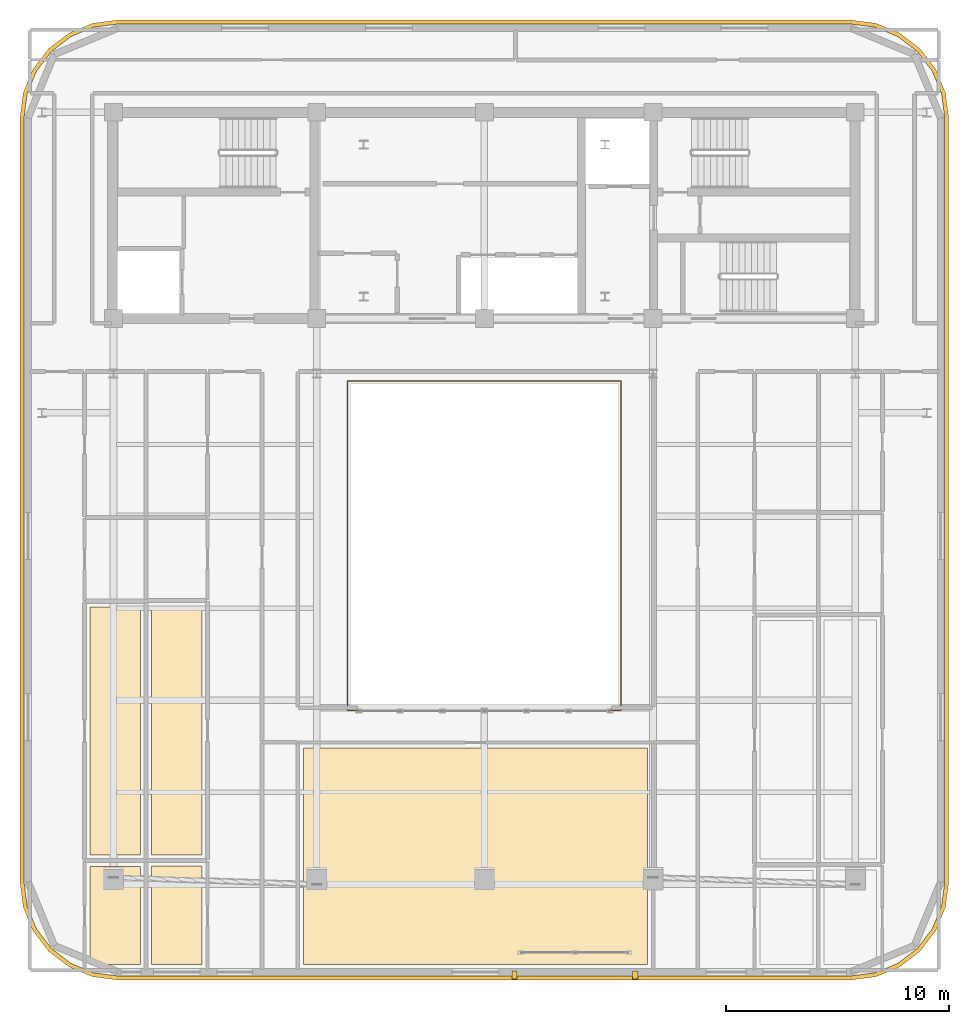
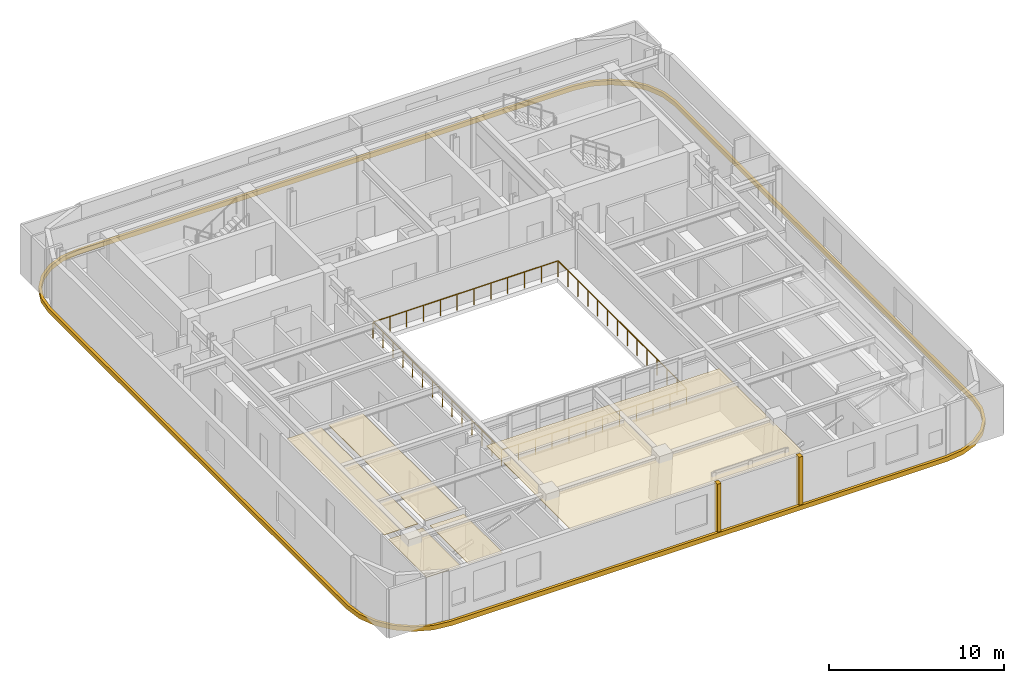
# One storey, part 12 of 14: 8 coverings, 1 railing.
"""IFC4 building model written with IfcOpenShell, lengths in metres."""

from ifc_helpers import new_model, si_unit, direction, frame, origin, origin_2d, place, context, subcontext, project, spatial, polyline, rectangle, outline, extrude, material, layer, layer_set, type_object, element, save


model = new_model("IFC4")

# Units and contexts
model_context = context("Model", 3, precision=1e-05, world=origin(), true_north=direction((0.0, 1.0)))
body_context = subcontext(model_context, "Body", "Model", "MODEL_VIEW")
ifc_project = project(units=[si_unit("LENGTHUNIT", "METRE"), si_unit("AREAUNIT", "SQUARE_METRE"), si_unit("VOLUMEUNIT", "CUBIC_METRE"), si_unit("PLANEANGLEUNIT", "RADIAN"), si_unit("MASSUNIT", "GRAM", prefix="KILO")], contexts=[model_context])

# Site, building, storey
site_placement = place(None, origin())
site = spatial("IfcSite", under=ifc_project, at=site_placement, CompositionType="ELEMENT")
building_placement = place(site_placement, origin())
building = spatial("IfcBuilding", under=site, at=building_placement, Name="Zarnavel Station Tower", CompositionType="ELEMENT")
storey_placement = place(building_placement, frame((0.0, 0.0, 258.39990234375)))
storey = spatial("IfcBuildingStorey", under=building, at=storey_placement, Name="L70", CompositionType="ELEMENT", Elevation=258.39990234375)

# Coverings
ifc_material_1 = material(Name="Perforated Gypsum and Mineral-Wool Acoustic Ceiling", Category="concrete")
ifc_layer = layer(ifc_material_1, 0.0400390625)
ifc_layer_set = layer_set([ifc_layer], Name="COV_CEIL_ACOUSTIC")
covering_type_1 = type_object("IfcCoveringType", Name="COV_CEIL_ACOUSTIC", PredefinedType="CEILING", material=ifc_layer_set)
covering_1_placement = place(storey_placement, frame((0.0, 0.0, 3.10009765625)))
element("IfcCovering", 1, at=covering_1_placement, inside=storey, type_object=covering_type_1, Name="L70 UW1B1 Acoustic Ceiling", PredefinedType="CEILING", context=body_context, shape_type="SweptSolid", body=[
    extrude(outline(polyline([(11.154052734375, -1.090087890625), (13.409912109375, -1.090087890625), (13.409912109375, 3.30810546875), (11.154052734375, 3.30810546875), (11.154052734375, -1.090087890625)])), origin(), (0.0, 0.0, 1.0), 0.0400390625),
])
covering_2_placement = place(storey_placement, frame((0.0, 0.0, 3.10009765625)))
element("IfcCovering", 2, at=covering_2_placement, inside=storey, type_object=covering_type_1, Name="L70 UW1KT Acoustic Ceiling", PredefinedType="CEILING", context=body_context, shape_type="SweptSolid", body=[
    extrude(outline(polyline([(11.154052734375, 3.80810546875), (13.409912109375, 3.80810546875), (13.409912109375, 14.9189453125), (11.154052734375, 14.9189453125), (11.154052734375, 3.80810546875)])), origin(), (0.0, 0.0, 1.0), 0.0400390625),
])
covering_3_placement = place(storey_placement, frame((0.0, 0.0, 3.10009765625)))
element("IfcCovering", 3, at=covering_3_placement, inside=storey, type_object=covering_type_1, Name="L70 UW2B1 Acoustic Ceiling", PredefinedType="CEILING", context=body_context, shape_type="SweptSolid", body=[
    extrude(outline(polyline([(13.909912109375, -1.090087890625), (16.160888671875, -1.090087890625), (16.160888671875, 3.31689453125), (13.909912109375, 3.31689453125), (13.909912109375, -1.090087890625)])), origin(), (0.0, 0.0, 1.0), 0.0400390625),
])
covering_4_placement = place(storey_placement, frame((0.0, 0.0, 3.10009765625)))
element("IfcCovering", 4, at=covering_4_placement, inside=storey, type_object=covering_type_1, Name="L70 UW2KT Acoustic Ceiling", PredefinedType="CEILING", context=body_context, shape_type="SweptSolid", body=[
    extrude(outline(polyline([(13.909912109375, 3.81689453125), (16.160888671875, 3.81689453125), (16.160888671875, 14.948974609375), (13.909912109375, 14.948974609375), (13.909912109375, 3.81689453125)])), origin(), (0.0, 0.0, 1.0), 0.0400390625),
])
covering_5_placement = place(storey_placement, frame((0.0, 0.0, 3.10009765625)))
element("IfcCovering", 5, at=covering_5_placement, inside=storey, type_object=covering_type_1, Name="L70 L69OBS Acoustic Ceiling", PredefinedType="CEILING", context=body_context, shape_type="SweptSolid", body=[
    extrude(outline(polyline([(20.699951171875, -1.090087890625), (36.10009765625, -1.090087890625), (36.10009765625, 8.60009765625), (20.699951171875, 8.60009765625), (20.699951171875, -1.090087890625)])), origin(), (0.0, 0.0, 1.0), 0.0400390625),
])
ifc_material_2 = material(Name="Precast concrete C45/55 (Pale Travertine Slab Band)", Category="masonry")
covering_type_2 = type_object("IfcCoveringType", Name="COV_TRAVERTINE_BAND", PredefinedType="CLADDING", material=ifc_material_2)
covering_6_placement = place(storey_placement, frame((0.0, 0.0, -0.260009765625)))
element("IfcCovering", 6, at=covering_6_placement, inside=storey, type_object=covering_type_2, Name="L70 Pale Travertine Slab-Edge Band", PredefinedType="CLADDING", context=body_context, shape_type="SweptSolid", body=[
    extrude(outline(polyline([(45.199951171875, -1.780029296875), (46.33349609375, -1.630859375), (47.389892578125, -1.193115234375), (48.297119140625, -0.4970703125), (48.9931640625, 0.409912109375), (49.430908203125, 1.46630859375), (49.580078125, 2.60009765625), (49.580078125, 36.800048828125), (49.430908203125, 37.93359375), (48.9931640625, 38.989990234375), (48.297119140625, 39.897216796875), (47.389892578125, 40.59326171875), (46.33349609375, 41.03076171875), (45.199951171875, 41.179931640625), (12.39990234375, 41.179931640625), (11.266357421875, 41.03076171875), (10.2099609375, 40.59326171875), (9.302978515625, 39.897216796875), (8.606689453125, 38.989990234375), (8.169189453125, 37.93359375), (8.02001953125, 36.800048828125), (8.02001953125, 2.60009765625), (8.169189453125, 1.46630859375), (8.606689453125, 0.409912109375), (9.302978515625, -0.4970703125), (10.2099609375, -1.193115234375), (11.266357421875, -1.630859375), (12.39990234375, -1.780029296875), (45.199951171875, -1.780029296875)]), holes=[polyline([(45.199951171875, -1.60009765625), (46.287109375, -1.456787109375), (47.300048828125, -1.037353515625), (48.169921875, -0.369873046875), (48.83740234375, 0.5), (49.2568359375, 1.512939453125), (49.39990234375, 2.60009765625), (49.39990234375, 36.800048828125), (49.2568359375, 37.886962890625), (48.83740234375, 38.89990234375), (48.169921875, 39.769775390625), (47.300048828125, 40.437255859375), (46.287109375, 40.85693359375), (45.199951171875, 41.0), (12.39990234375, 41.0), (11.31298828125, 40.85693359375), (10.300048828125, 40.437255859375), (9.43017578125, 39.769775390625), (8.7626953125, 38.89990234375), (8.343017578125, 37.886962890625), (8.199951171875, 36.800048828125), (8.199951171875, 2.60009765625), (8.343017578125, 1.512939453125), (8.7626953125, 0.5), (9.43017578125, -0.369873046875), (10.300048828125, -1.037353515625), (11.31298828125, -1.456787109375), (12.39990234375, -1.60009765625), (45.199951171875, -1.60009765625)])]), origin(), (0.0, 0.0, 1.0), 0.320068359375),
])
for number, where, z_axis, x_axis, name in (
    (7, (30.14990234375, -1.550048828125, 0.000244140625), (0.0, 0.0, 1.0), (1.0, 0.0, 0.0), "L70 Travertine Portal Loggia Vertical Jog West"),
    (8, (35.550048828125, -1.550048828125, 0.000244140625), (0.0, 0.0, 1.0), (1.0, 0.0, 0.0), "L70 Travertine Portal Loggia Vertical Jog East"),
):
    element("IfcCovering", number, at=place(storey_placement, frame(where, z_axis=z_axis, x_axis=x_axis)), inside=storey, type_object=covering_type_2, Name=name, PredefinedType="CLADDING", context=body_context, shape_type="SweptSolid", body=[
        extrude(rectangle(XDim=0.239990234375, YDim=0.360107421875, at=origin_2d()), origin(), (0.0, 0.0, 1.0), 3.419921875),
    ])

# Railing
ifc_material_3 = material(Name="Painted Steel S355J2 Balustrade", Category="steel")
railing_type = type_object("IfcRailingType", Name="GR_INT_1150", PredefinedType="GUARDRAIL", material=ifc_material_3)
railing_placement = place(storey_placement, frame((22.679931640625, 10.280029296875, 0.0)))
element("IfcRailing", 9, at=railing_placement, inside=storey, type_object=railing_type, Name="L70 Atrium Void Guardrail", PredefinedType="GUARDRAIL", context=body_context, shape_type="SweptSolid", body=[
    extrude(rectangle(XDim=0.048095703125, YDim=0.048095703125, at=origin_2d()), frame((0.001953125, 0.0, 1.1259765625), z_axis=(1.0, 0.0, 0.0), x_axis=(0.0, 1.0, 0.0)), (0.0, 0.0, 1.0), 12.236083984375),
    extrude(rectangle(XDim=0.048095703125, YDim=0.048095703125, at=origin_2d()), frame((12.239990234375, 0.001953125, 1.1259765625), z_axis=(0.0, 1.0, 0.0), x_axis=(-1.0, 0.0, 0.0)), (0.0, 0.0, 1.0), 14.736083984375),
    extrude(rectangle(XDim=0.048095703125, YDim=0.048095703125, at=origin_2d()), frame((12.238037109375, 14.739990234375, 1.1259765625), z_axis=(-1.0, 0.0, 0.0), x_axis=(0.0, -1.0, 0.0)), (0.0, 0.0, 1.0), 12.236083984375),
    extrude(rectangle(XDim=0.048095703125, YDim=0.048095703125, at=origin_2d()), frame((0.0, 14.738037109375, 1.1259765625), z_axis=(0.0, -1.0, 0.0), x_axis=(1.0, 0.0, 0.0)), (0.0, 0.0, 1.0), 14.736083984375),
    extrude(rectangle(XDim=0.0419921875, YDim=0.0419921875, at=origin_2d()), origin(), (0.0, 0.0, 1.0), 1.101806640625),
    extrude(rectangle(XDim=0.0419921875, YDim=0.0419921875, at=origin_2d()), frame((1.11279296875, 0.0, 0.0)), (0.0, 0.0, 1.0), 1.101806640625),
    extrude(rectangle(XDim=0.0419921875, YDim=0.0419921875, at=origin_2d()), frame((2.225341796875, 0.0, 0.0)), (0.0, 0.0, 1.0), 1.101806640625),
    extrude(rectangle(XDim=0.0419921875, YDim=0.0419921875, at=origin_2d()), frame((3.338134765625, 0.0, 0.0)), (0.0, 0.0, 1.0), 1.101806640625),
    extrude(rectangle(XDim=0.0419921875, YDim=0.0419921875, at=origin_2d()), frame((4.450927734375, 0.0, 0.0)), (0.0, 0.0, 1.0), 1.101806640625),
    extrude(rectangle(XDim=0.0419921875, YDim=0.0419921875, at=origin_2d()), frame((5.563720703125, 0.0, 0.0)), (0.0, 0.0, 1.0), 1.101806640625),
    extrude(rectangle(XDim=0.0419921875, YDim=0.0419921875, at=origin_2d()), frame((6.67626953125, 0.0, 0.0)), (0.0, 0.0, 1.0), 1.101806640625),
    extrude(rectangle(XDim=0.0419921875, YDim=0.0419921875, at=origin_2d()), frame((7.7890625, 0.0, 0.0)), (0.0, 0.0, 1.0), 1.101806640625),
    extrude(rectangle(XDim=0.0419921875, YDim=0.0419921875, at=origin_2d()), frame((8.90185546875, 0.0, 0.0)), (0.0, 0.0, 1.0), 1.101806640625),
    extrude(rectangle(XDim=0.0419921875, YDim=0.0419921875, at=origin_2d()), frame((10.0146484375, 0.0, 0.0)), (0.0, 0.0, 1.0), 1.101806640625),
    extrude(rectangle(XDim=0.0419921875, YDim=0.0419921875, at=origin_2d()), frame((11.127197265625, 0.0, 0.0)), (0.0, 0.0, 1.0), 1.101806640625),
    extrude(rectangle(XDim=0.0419921875, YDim=0.0419921875, at=origin_2d()), frame((12.239990234375, 0.0, 0.0)), (0.0, 0.0, 1.0), 1.101806640625),
    extrude(rectangle(XDim=0.0419921875, YDim=0.0419921875, at=origin_2d()), frame((12.239990234375, 1.1337890625, 0.0)), (0.0, 0.0, 1.0), 1.101806640625),
    extrude(rectangle(XDim=0.0419921875, YDim=0.0419921875, at=origin_2d()), frame((12.239990234375, 2.267578125, 0.0)), (0.0, 0.0, 1.0), 1.101806640625),
    extrude(rectangle(XDim=0.0419921875, YDim=0.0419921875, at=origin_2d()), frame((12.239990234375, 3.401611328125, 0.0)), (0.0, 0.0, 1.0), 1.101806640625),
    extrude(rectangle(XDim=0.0419921875, YDim=0.0419921875, at=origin_2d()), frame((12.239990234375, 4.535400390625, 0.0)), (0.0, 0.0, 1.0), 1.101806640625),
    extrude(rectangle(XDim=0.0419921875, YDim=0.0419921875, at=origin_2d()), frame((12.239990234375, 5.669189453125, 0.0)), (0.0, 0.0, 1.0), 1.101806640625),
    extrude(rectangle(XDim=0.0419921875, YDim=0.0419921875, at=origin_2d()), frame((12.239990234375, 6.802978515625, 0.0)), (0.0, 0.0, 1.0), 1.101806640625),
    extrude(rectangle(XDim=0.0419921875, YDim=0.0419921875, at=origin_2d()), frame((12.239990234375, 7.93701171875, 0.0)), (0.0, 0.0, 1.0), 1.101806640625),
    extrude(rectangle(XDim=0.0419921875, YDim=0.0419921875, at=origin_2d()), frame((12.239990234375, 9.07080078125, 0.0)), (0.0, 0.0, 1.0), 1.101806640625),
    extrude(rectangle(XDim=0.0419921875, YDim=0.0419921875, at=origin_2d()), frame((12.239990234375, 10.20458984375, 0.0)), (0.0, 0.0, 1.0), 1.101806640625),
    extrude(rectangle(XDim=0.0419921875, YDim=0.0419921875, at=origin_2d()), frame((12.239990234375, 11.33837890625, 0.0)), (0.0, 0.0, 1.0), 1.101806640625),
    extrude(rectangle(XDim=0.0419921875, YDim=0.0419921875, at=origin_2d()), frame((12.239990234375, 12.472412109375, 0.0)), (0.0, 0.0, 1.0), 1.101806640625),
    extrude(rectangle(XDim=0.0419921875, YDim=0.0419921875, at=origin_2d()), frame((12.239990234375, 13.606201171875, 0.0)), (0.0, 0.0, 1.0), 1.101806640625),
    extrude(rectangle(XDim=0.0419921875, YDim=0.0419921875, at=origin_2d()), frame((12.239990234375, 14.739990234375, 0.0)), (0.0, 0.0, 1.0), 1.101806640625),
    extrude(rectangle(XDim=0.0419921875, YDim=0.0419921875, at=origin_2d()), frame((11.127197265625, 14.739990234375, 0.0)), (0.0, 0.0, 1.0), 1.101806640625),
    extrude(rectangle(XDim=0.0419921875, YDim=0.0419921875, at=origin_2d()), frame((10.0146484375, 14.739990234375, 0.0)), (0.0, 0.0, 1.0), 1.101806640625),
    extrude(rectangle(XDim=0.0419921875, YDim=0.0419921875, at=origin_2d()), frame((8.90185546875, 14.739990234375, 0.0)), (0.0, 0.0, 1.0), 1.101806640625),
    extrude(rectangle(XDim=0.0419921875, YDim=0.0419921875, at=origin_2d()), frame((7.7890625, 14.739990234375, 0.0)), (0.0, 0.0, 1.0), 1.101806640625),
    extrude(rectangle(XDim=0.0419921875, YDim=0.0419921875, at=origin_2d()), frame((6.67626953125, 14.739990234375, 0.0)), (0.0, 0.0, 1.0), 1.101806640625),
    extrude(rectangle(XDim=0.0419921875, YDim=0.0419921875, at=origin_2d()), frame((5.563720703125, 14.739990234375, 0.0)), (0.0, 0.0, 1.0), 1.101806640625),
    extrude(rectangle(XDim=0.0419921875, YDim=0.0419921875, at=origin_2d()), frame((4.450927734375, 14.739990234375, 0.0)), (0.0, 0.0, 1.0), 1.101806640625),
    extrude(rectangle(XDim=0.0419921875, YDim=0.0419921875, at=origin_2d()), frame((3.338134765625, 14.739990234375, 0.0)), (0.0, 0.0, 1.0), 1.101806640625),
    extrude(rectangle(XDim=0.0419921875, YDim=0.0419921875, at=origin_2d()), frame((2.225341796875, 14.739990234375, 0.0)), (0.0, 0.0, 1.0), 1.101806640625),
    extrude(rectangle(XDim=0.0419921875, YDim=0.0419921875, at=origin_2d()), frame((1.11279296875, 14.739990234375, 0.0)), (0.0, 0.0, 1.0), 1.101806640625),
    extrude(rectangle(XDim=0.0419921875, YDim=0.0419921875, at=origin_2d()), frame((0.0, 14.739990234375, 0.0)), (0.0, 0.0, 1.0), 1.101806640625),
    extrude(rectangle(XDim=0.0419921875, YDim=0.0419921875, at=origin_2d()), frame((0.0, 13.606201171875, 0.0)), (0.0, 0.0, 1.0), 1.101806640625),
    extrude(rectangle(XDim=0.0419921875, YDim=0.0419921875, at=origin_2d()), frame((0.0, 12.472412109375, 0.0)), (0.0, 0.0, 1.0), 1.101806640625),
    extrude(rectangle(XDim=0.0419921875, YDim=0.0419921875, at=origin_2d()), frame((0.0, 11.33837890625, 0.0)), (0.0, 0.0, 1.0), 1.101806640625),
    extrude(rectangle(XDim=0.0419921875, YDim=0.0419921875, at=origin_2d()), frame((0.0, 10.20458984375, 0.0)), (0.0, 0.0, 1.0), 1.101806640625),
    extrude(rectangle(XDim=0.0419921875, YDim=0.0419921875, at=origin_2d()), frame((0.0, 9.07080078125, 0.0)), (0.0, 0.0, 1.0), 1.101806640625),
    extrude(rectangle(XDim=0.0419921875, YDim=0.0419921875, at=origin_2d()), frame((0.0, 7.93701171875, 0.0)), (0.0, 0.0, 1.0), 1.101806640625),
    extrude(rectangle(XDim=0.0419921875, YDim=0.0419921875, at=origin_2d()), frame((0.0, 6.802978515625, 0.0)), (0.0, 0.0, 1.0), 1.101806640625),
    extrude(rectangle(XDim=0.0419921875, YDim=0.0419921875, at=origin_2d()), frame((0.0, 5.669189453125, 0.0)), (0.0, 0.0, 1.0), 1.101806640625),
    extrude(rectangle(XDim=0.0419921875, YDim=0.0419921875, at=origin_2d()), frame((0.0, 4.535400390625, 0.0)), (0.0, 0.0, 1.0), 1.101806640625),
    extrude(rectangle(XDim=0.0419921875, YDim=0.0419921875, at=origin_2d()), frame((0.0, 3.401611328125, 0.0)), (0.0, 0.0, 1.0), 1.101806640625),
    extrude(rectangle(XDim=0.0419921875, YDim=0.0419921875, at=origin_2d()), frame((0.0, 2.267578125, 0.0)), (0.0, 0.0, 1.0), 1.101806640625),
    extrude(rectangle(XDim=0.0419921875, YDim=0.0419921875, at=origin_2d()), frame((0.0, 1.1337890625, 0.0)), (0.0, 0.0, 1.0), 1.101806640625),
])

save(model, "model.ifc")
